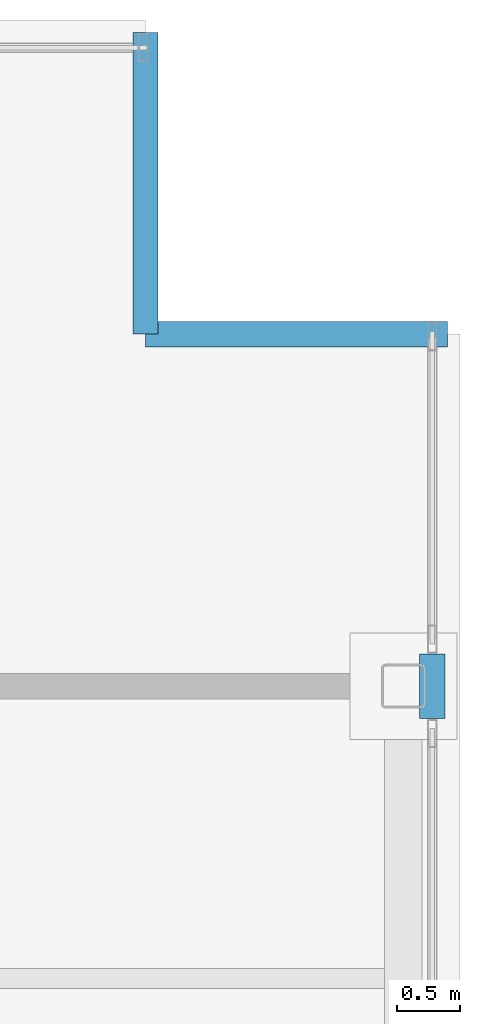
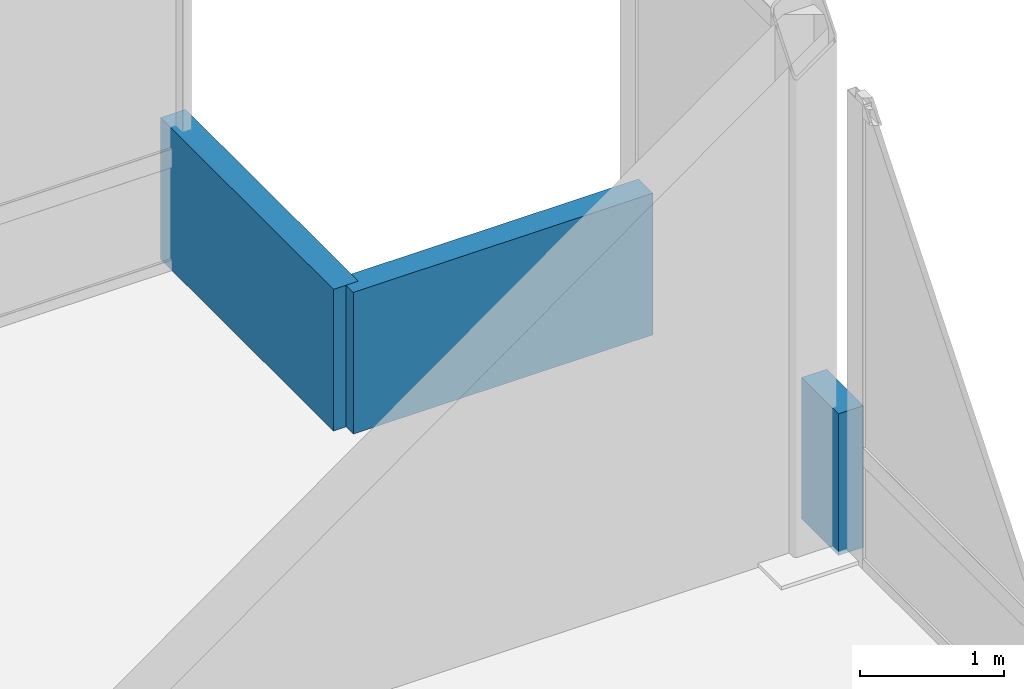
# One storey, part 19 of 20: 3 walls.
"""IFC4 building model written with IfcOpenShell, lengths in metres."""

from ifc_helpers import new_model, si_unit, direction, frame, frame_2d, origin, place, context, subcontext, project, spatial, rectangle, extrude, material, layer, layer_set, type_object, element, save


model = new_model("IFC4")

# Units and contexts
model_context = context("Model", 3, precision=1e-05, world=origin(), true_north=direction((0.0, 1.0)))
body_context = subcontext(model_context, "Body", "Model", "MODEL_VIEW")
ifc_project = project(units=[si_unit("LENGTHUNIT", "METRE"), si_unit("AREAUNIT", "SQUARE_METRE"), si_unit("VOLUMEUNIT", "CUBIC_METRE"), si_unit("PLANEANGLEUNIT", "RADIAN"), si_unit("MASSUNIT", "GRAM", prefix="KILO")], contexts=[model_context])

# Site, building, storey
site_placement = place(None, origin())
site = spatial("IfcSite", under=ifc_project, at=site_placement, CompositionType="ELEMENT")
building_placement = place(site_placement, origin())
building = spatial("IfcBuilding", under=site, at=building_placement, Name="Noeulbin Bourse Tower", CompositionType="ELEMENT")
storey_placement = place(building_placement, frame((0.0, 0.0, 312.60009765625)))
storey = spatial("IfcBuildingStorey", under=building, at=storey_placement, Name="L77", CompositionType="ELEMENT", Elevation=312.60009765625)

# Walls
ifc_material = material(Name="Concrete C40/50", Category="concrete")
ifc_layer = layer(ifc_material, 0.199951171875)
ifc_layer_set = layer_set([ifc_layer], Name="Concrete C40/50")
wall_type = type_object("IfcWallType", Name="WAL-PAR-200", PredefinedType="PARAPET", material=ifc_layer_set)
wall_placement = place(storey_placement, frame((50.780029296875, 38.044921875, 0.0), z_axis=(0.0, 0.0, 1.0), x_axis=(0.0, 1.0, 0.0)))
element("IfcWall", 1, at=wall_placement, inside=storey, type_object=wall_type, Name="Perimeter Pier Spandrel Parapet L77-E6", PredefinedType="PARAPET", context=body_context, shape_type="SweptSolid", body=[
    extrude(rectangle(XDim=0.510009765625, YDim=0.199951171875, at=frame_2d((0.2548828125, 0.0))), origin(), (0.0, 0.0, 1.0), 1.199951171875),
])
for number, where, z_axis, x_axis, name in (
    (2, (48.5, 43.5, 0.0), (0.0, 0.0, 1.0), (0.0, -1.0, 0.0), "Corner Notch Parapet L77-NE1"),
    (3, (48.5, 41.10009765625, 0.0), (0.0, 0.0, 1.0), (1.0, 0.0, 0.0), "Corner Notch Parapet L77-NE2"),
):
    element("IfcWall", number, at=place(storey_placement, frame(where, z_axis=z_axis, x_axis=x_axis)), inside=storey, type_object=wall_type, Name=name, PredefinedType="PARAPET", context=body_context, shape_type="SweptSolid", body=[
        extrude(rectangle(XDim=2.39990234375, YDim=0.199951171875, at=frame_2d((1.199951171875, 0.0))), origin(), (0.0, 0.0, 1.0), 1.199951171875),
    ])

save(model, "model.ifc")
